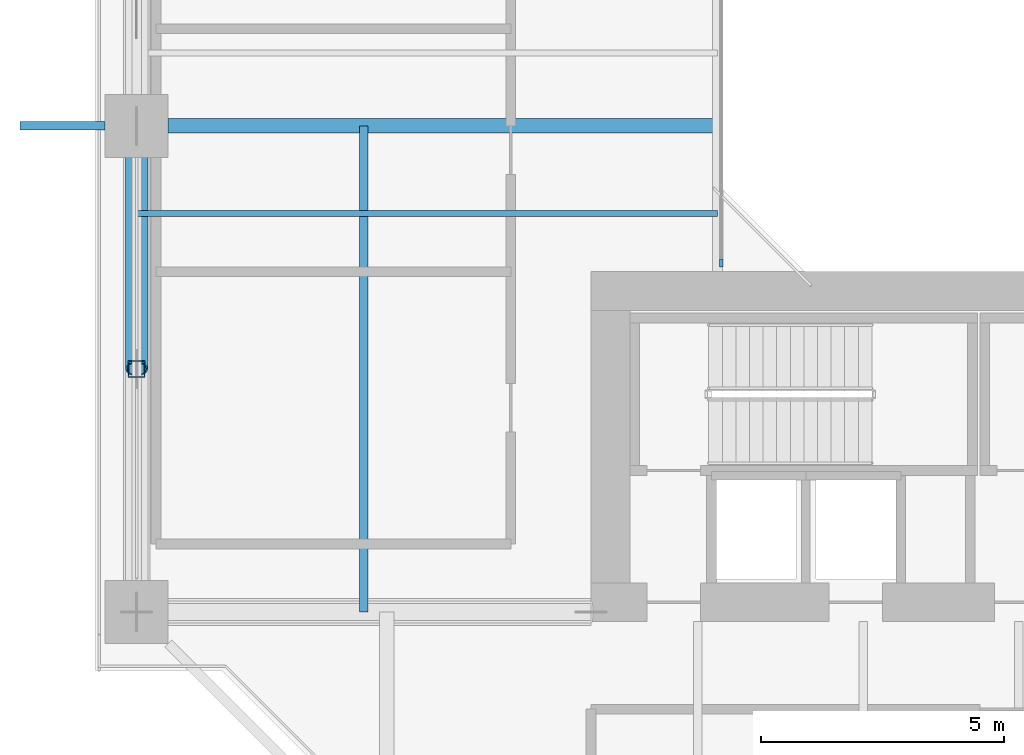
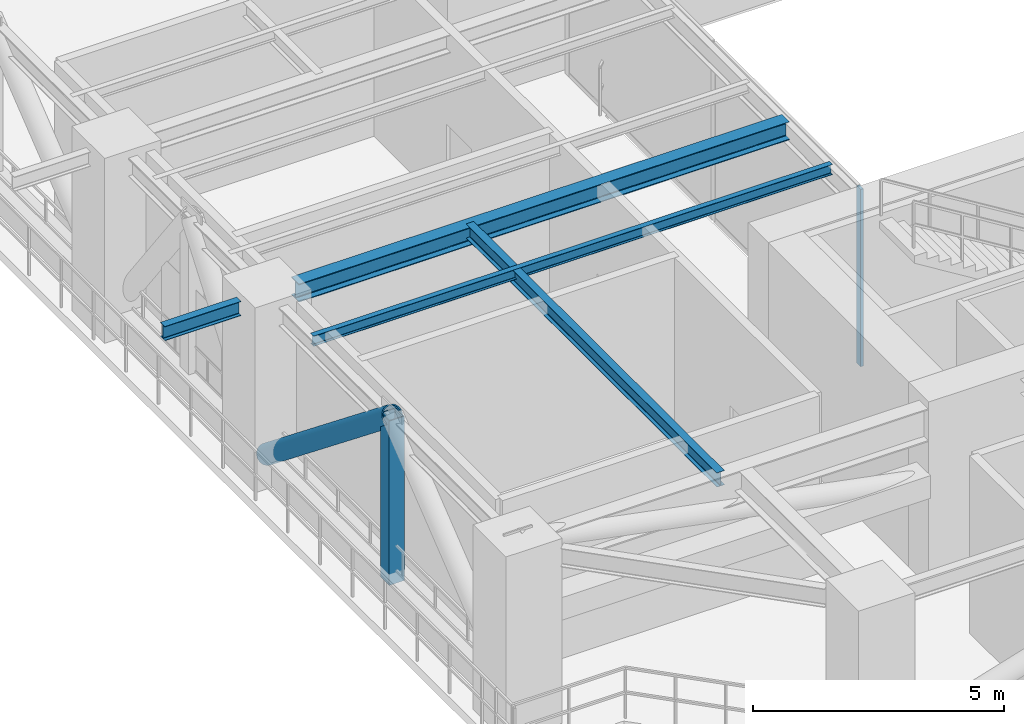
# One storey, part 2 of 26: 4 beams, 3 members, 1 element without a shape of its own.
"""IFC4 building model written with IfcOpenShell, lengths in metres."""

from ifc_helpers import new_model, si_unit, direction, frame, origin, origin_2d, place, context, subcontext, project, spatial, rectangle, hollow_rectangle, hollow_circle, i_section, extrude, source, transform, mapped, material, layer, layer_set, material_profile, profile_set, type_object, element, aggregate, save


model = new_model("IFC4")

# Units and contexts
model_context = context("Model", 3, precision=1e-05, world=origin(), true_north=direction((0.0, 1.0)))
body_context = subcontext(model_context, "Body", "Model", "MODEL_VIEW")
ifc_project = project(units=[si_unit("LENGTHUNIT", "METRE"), si_unit("AREAUNIT", "SQUARE_METRE"), si_unit("VOLUMEUNIT", "CUBIC_METRE"), si_unit("PLANEANGLEUNIT", "RADIAN"), si_unit("MASSUNIT", "GRAM", prefix="KILO"), si_unit("THERMODYNAMICTEMPERATUREUNIT", "KELVIN"), si_unit("POWERUNIT", "WATT")], contexts=[model_context])

# Site, building, storey
site_placement = place(None, origin())
site = spatial("IfcSite", under=ifc_project, at=site_placement, CompositionType="ELEMENT")
building_placement = place(site_placement, origin())
building = spatial("IfcBuilding", under=site, at=building_placement, Name="Qiaomeng Ring Towers", CompositionType="ELEMENT")
storey_placement = place(building_placement, frame((0.0, 0.0, 45.75)))
storey = spatial("IfcBuildingStorey", under=building, at=storey_placement, Name="L12", CompositionType="ELEMENT", Elevation=45.75)

# Beams
ifc_material_1 = material(Name="Steel Q355B", Category="steel")
ifc_material_profile_1 = material_profile(ifc_material_1, i_section(OverallWidth=0.300048828125, OverallDepth=0.43994140625, WebThickness=0.010986328125, FlangeThickness=0.01806640625, FilletRadius=0.02392578125, at=origin_2d()), Name="HM 440x300x11x18")
ifc_profile_set_1 = profile_set([ifc_material_profile_1], Name="Steel Q355B")
beam_type_1 = type_object("IfcBeamType", Name="STR-BM-HM440", PredefinedType="BEAM", material=ifc_profile_set_1)
shared_shape_1 = source(origin(), body_context, "Body", "SweptSolid", [
    extrude(i_section(OverallWidth=0.300048828125, OverallDepth=0.43994140625, WebThickness=0.010986328125, FlangeThickness=0.01806640625, FilletRadius=0.02392578125, at=origin_2d()), origin(), (0.0, 0.0, 1.0), 11.301025390625),
])
beam_1_placement = place(storey_placement, frame((1.4990234375, 20.0, 4.10009765625), z_axis=(1.0, 0.0, 0.0), x_axis=(0.0, 1.0, 0.0)))
element("IfcBeam", 1, at=beam_1_placement, inside=storey, type_object=beam_type_1, Name="L12 beam STR-BM-L12-T1-RAD-W2", PredefinedType="BEAM", context=body_context, shape_type="MappedRepresentation", body=[
    mapped(shared_shape_1, transform((0.0, 0.0, 0.0), x_axis=(1.0, 0.0, 0.0), y_axis=(0.0, 1.0, 0.0), z_axis=(0.0, 0.0, 1.0), scale=1.0)),
])
ifc_material_profile_2 = material_profile(ifc_material_1, i_section(OverallWidth=0.175048828125, OverallDepth=0.35009765625, WebThickness=0.007080078125, FlangeThickness=0.010986328125, FilletRadius=0.013916015625, at=origin_2d()), Name="HN 350x175x7x11")
ifc_profile_set_2 = profile_set([ifc_material_profile_2], Name="Steel Q355B")
beam_type_2 = type_object("IfcBeamType", Name="STR-BM-HN350", PredefinedType="JOIST", material=ifc_profile_set_2)
shared_shape_2 = source(origin(), body_context, "Body", "SweptSolid", [
    extrude(i_section(OverallWidth=0.175048828125, OverallDepth=0.35009765625, WebThickness=0.007080078125, FlangeThickness=0.010986328125, FilletRadius=0.013916015625, at=origin_2d()), origin(), (0.0, 0.0, 1.0), 1.7509765625),
])
beam_2_placement = place(storey_placement, frame((-1.550048828125, 20.0, 4.14501953125), z_axis=(1.0, 0.0, 0.0), x_axis=(0.0, 1.0, 0.0)))
element("IfcBeam", 2, at=beam_2_placement, inside=storey, type_object=beam_type_2, Name="L12 beam STR-BALBM-L12-W2", PredefinedType="JOIST", context=body_context, shape_type="MappedRepresentation", body=[
    mapped(shared_shape_2, transform((0.0, 0.0, 0.0), x_axis=(1.0, 0.0, 0.0), y_axis=(0.0, 1.0, 0.0), z_axis=(0.0, 0.0, 1.0), scale=1.0)),
])
ifc_material_profile_3 = material_profile(ifc_material_1, i_section(OverallWidth=0.125, OverallDepth=0.25, WebThickness=0.006103515625, FlangeThickness=0.009033203125, FilletRadius=0.011962890625, at=origin_2d()), Name="HN 250x125x6x9")
ifc_profile_set_3 = profile_set([ifc_material_profile_3], Name="Steel Q355B")
beam_type_3 = type_object("IfcBeamType", Name="STR-BM-HN250", PredefinedType="JOIST", material=ifc_profile_set_3)
shared_shape_3 = source(origin(), body_context, "Body", "SweptSolid", [
    extrude(i_section(OverallWidth=0.125, OverallDepth=0.25, WebThickness=0.006103515625, FlangeThickness=0.009033203125, FilletRadius=0.011962890625, at=origin_2d()), origin(), (0.0, 0.0, 1.0), 11.949951171875),
])
beam_3_placement = place(storey_placement, frame((0.85009765625, 18.199951171875, 4.195068359375), z_axis=(1.0, 0.0, 0.0), x_axis=(0.0, 1.0, 0.0)))
element("IfcBeam", 3, at=beam_3_placement, inside=storey, type_object=beam_type_3, Name="L12 beam STR-JST-L12-T1W-1", PredefinedType="JOIST", context=body_context, shape_type="MappedRepresentation", body=[
    mapped(shared_shape_3, transform((0.0, 0.0, 0.0), x_axis=(1.0, 0.0, 0.0), y_axis=(0.0, 1.0, 0.0), z_axis=(0.0, 0.0, 1.0), scale=1.0)),
])
shared_shape_4 = source(origin(), body_context, "Body", "SweptSolid", [
    extrude(i_section(OverallWidth=0.175048828125, OverallDepth=0.35009765625, WebThickness=0.007080078125, FlangeThickness=0.010986328125, FilletRadius=0.013916015625, at=origin_2d()), origin(), (0.0, 0.0, 1.0), 10.0),
])
beam_4_placement = place(storey_placement, frame((5.52490234375, 10.0, 4.14501953125), z_axis=(0.0, 1.0, 0.0), x_axis=(-1.0, 0.0, 0.0)))
element("IfcBeam", 4, at=beam_4_placement, inside=storey, type_object=beam_type_2, Name="L12 beam STR-JST-L12-T1C-WS", PredefinedType="JOIST", context=body_context, shape_type="MappedRepresentation", body=[
    mapped(shared_shape_4, transform((0.0, 0.0, 0.0), x_axis=(1.0, 0.0, 0.0), y_axis=(0.0, 1.0, 0.0), z_axis=(0.0, 0.0, 1.0), scale=1.0)),
])

# Members
ifc_material_2 = material(Name="Steel Q390GJC", Category="steel")
ifc_material_profile_4 = material_profile(ifc_material_2, hollow_rectangle(XDim=0.35009765625, YDim=0.35009765625, WallThickness=0.02001953125, at=origin_2d()), Name="SHS 350x350x20")
ifc_profile_set_4 = profile_set([ifc_material_profile_4], Name="Steel Q390GJC")
member_type_1 = type_object("IfcMemberType", Name="STR-MB-POST-350", PredefinedType="POST", material=ifc_profile_set_4)
shared_shape_5 = source(origin(), body_context, "Body", "SweptSolid", [
    extrude(hollow_rectangle(XDim=0.35009765625, YDim=0.35009765625, WallThickness=0.02001953125, at=origin_2d()), origin(), (0.0, 0.0, 1.0), 4.0),
])
member_1_placement = place(storey_placement, frame((0.85009765625, 15.0, 0.320068359375), z_axis=(0.0, 0.0, 1.0), x_axis=(1.0, 0.0, 0.0)))
element("IfcMember", 5, at=member_1_placement, inside=storey, type_object=member_type_1, Name="L12 Belt Truss Post W2-W1", PredefinedType="POST", context=body_context, shape_type="MappedRepresentation", body=[
    mapped(shared_shape_5, transform((0.0, 0.0, 0.0), x_axis=(1.0, 0.0, 0.0), y_axis=(0.0, 1.0, 0.0), z_axis=(0.0, 0.0, 1.0), scale=1.0)),
])
ifc_material_profile_5 = material_profile(ifc_material_2, hollow_circle(Radius=0.228515625, WallThickness=0.028076171875, at=origin_2d()), Name="CHS 457x28")
ifc_profile_set_5 = profile_set([ifc_material_profile_5], Name="Steel Q390GJC")
member_type_2 = type_object("IfcMemberType", Name="STR-MB-BR-457", PredefinedType="BRACE", material=ifc_profile_set_5)
shared_shape_6 = source(origin(), body_context, "Body", "SweptSolid", [
    extrude(hollow_circle(Radius=0.228515625, WallThickness=0.028076171875, at=origin_2d()), origin(), (0.0, 0.0, 1.0), 6.390625),
])
member_2_placement = place(storey_placement, frame((0.85009765625, 20.0, 0.320068359375), z_axis=(0.0, -0.782394587595, 0.622783035497), x_axis=(1.0, 0.0, 0.0)))
element("IfcMember", 6, at=member_2_placement, inside=storey, type_object=member_type_2, Name="L12 Belt Truss Diagonal W2-M", PredefinedType="BRACE", context=body_context, shape_type="MappedRepresentation", body=[
    mapped(shared_shape_6, transform((0.0, 0.0, 0.0), x_axis=(1.0, 0.0, 0.0), y_axis=(0.0, 1.0, 0.0), z_axis=(0.0, 0.0, 1.0), scale=1.0)),
])

# Curtain wall, member
ifc_material_3 = material(Name="Fluorocarbon dark-grey aluminium", Category="aluminium")
ifc_layer = layer(ifc_material_3, 0.139892578125, Name="Fluorocarbon dark-grey aluminium")
ifc_layer_set = layer_set([ifc_layer], Name="Fluorocarbon dark-grey aluminium")
curtain_wall_type = type_object("IfcCurtainWallType", Name="ARC-CW-4", PredefinedType="NOTDEFINED", material=ifc_layer_set)
curtain_wall_placement = place(storey_placement, origin())
curtain_wall = element("IfcCurtainWall", 7, at=curtain_wall_placement, inside=storey, type_object=curtain_wall_type, Name="L12 Curtain Wall CW4", PredefinedType="NOTDEFINED")
ifc_material_profile_6 = material_profile(ifc_material_3, rectangle(XDim=0.06494140625, YDim=0.159912109375, at=origin_2d()), Name="ALU MULL 65x160")
ifc_profile_set_6 = profile_set([ifc_material_profile_6], Name="Fluorocarbon dark-grey aluminium")
member_type_3 = type_object("IfcMemberType", Name="ARC-CWM-140", PredefinedType="MULLION", material=ifc_profile_set_6)
shared_shape_7 = source(origin(), body_context, "Body", "SweptSolid", [
    extrude(rectangle(XDim=0.06494140625, YDim=0.159912109375, at=origin_2d()), origin(), (0.0, 0.0, 1.0), 4.320068359375),
])
member_3_placement = place(storey_placement, frame((12.8798828125, 17.1826171875, 0.0), z_axis=(0.0, 0.0, 1.0), x_axis=(-1.0, 0.0, 0.0)))
member_3 = element("IfcMember", 8, at=member_3_placement, type_object=member_type_3, Name="CW4 mullion 1", PredefinedType="MULLION", context=body_context, shape_type="MappedRepresentation", body=[
    mapped(shared_shape_7, transform((0.0, 0.0, 0.0), x_axis=(1.0, 0.0, 0.0), y_axis=(0.0, 1.0, 0.0), z_axis=(0.0, 0.0, 1.0), scale=1.0)),
])
aggregate(curtain_wall, [member_3])

save(model, "model.ifc")
